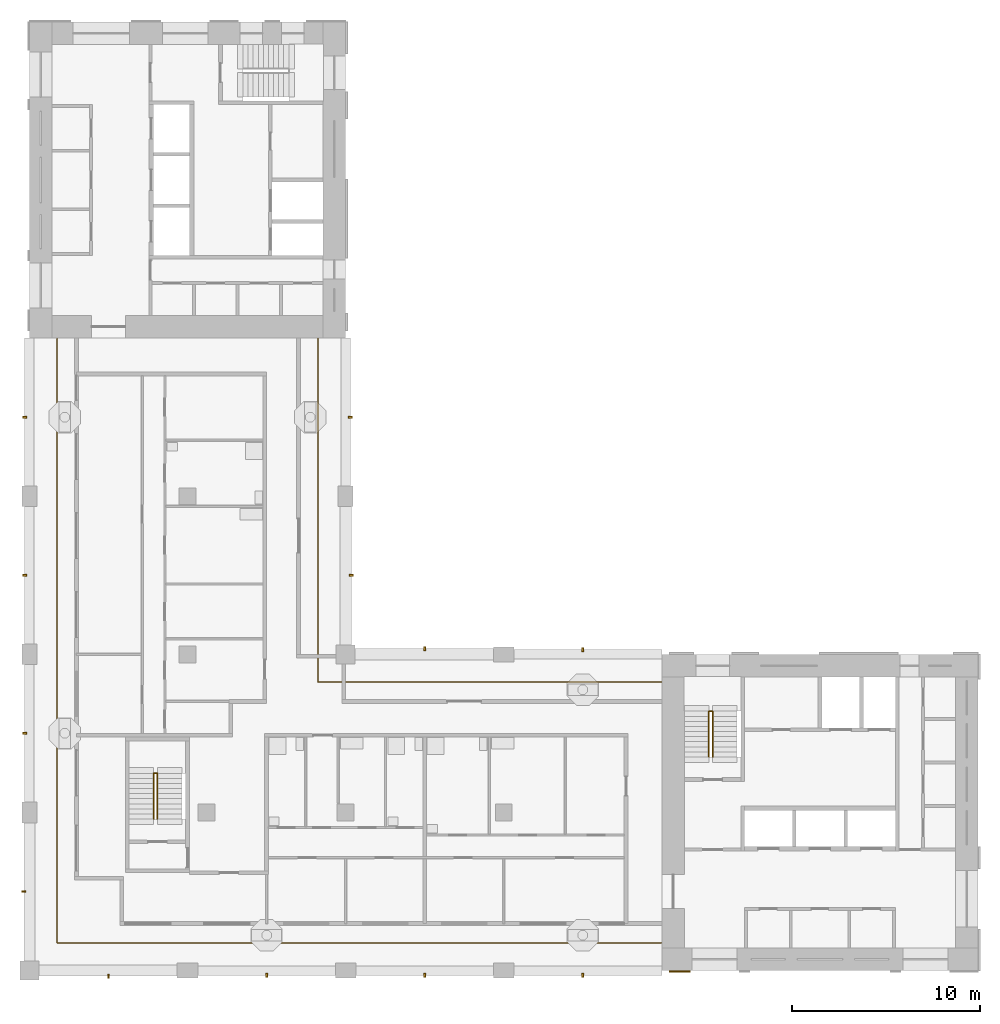
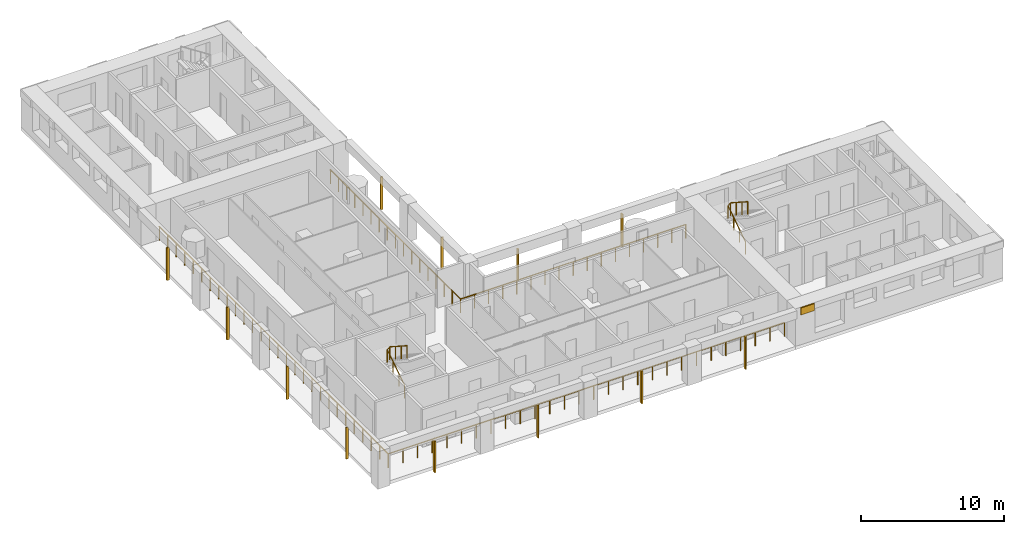
# One storey, part 8 of 12: 13 shading devices, 4 railings.
"""IFC4 building model written with IfcOpenShell, lengths in metres."""

from ifc_helpers import new_model, si_unit, direction, frame, origin, origin_2d, place, context, subcontext, project, spatial, rectangle, circle, extrude, material, layer, layer_set, material_profile, profile_set, type_object, element, save


model = new_model("IFC4")

# Units and contexts
model_context = context("Model", 3, precision=1e-05, world=origin(), true_north=direction((0.0, 1.0)))
body_context = subcontext(model_context, "Body", "Model", "MODEL_VIEW")
ifc_project = project(units=[si_unit("LENGTHUNIT", "METRE"), si_unit("AREAUNIT", "SQUARE_METRE"), si_unit("VOLUMEUNIT", "CUBIC_METRE"), si_unit("PLANEANGLEUNIT", "RADIAN"), si_unit("MASSUNIT", "GRAM", prefix="KILO")], contexts=[model_context])

# Site, building, storey
site_placement = place(None, origin())
site = spatial("IfcSite", under=ifc_project, at=site_placement, CompositionType="ELEMENT")
building_placement = place(site_placement, origin())
building = spatial("IfcBuilding", under=site, at=building_placement, Name="Vermilion Gate Residences", CompositionType="ELEMENT")
storey_placement = place(building_placement, frame((0.0, 0.0, 235.199951171875)))
storey = spatial("IfcBuildingStorey", under=building, at=storey_placement, Name="L61", CompositionType="ELEMENT", Elevation=235.199951171875)

# Railings
ifc_material_1 = material(Name="Stainless steel and toughened glass", Category="steel")
railing_type_1 = type_object("IfcRailingType", Name="LOGGIA GUARD STEEL AND GLASS 1200", PredefinedType="GUARDRAIL", material=ifc_material_1)
railing_1_placement = place(storey_placement, frame((41.97802734375, 23.72509765625, 0.0)))
element("IfcRailing", 1, at=railing_1_placement, inside=storey, type_object=railing_type_1, Name="Loggia guard", PredefinedType="GUARDRAIL", context=body_context, shape_type="SweptSolid", body=[
    extrude(circle(Radius=0.030029296875, at=origin_2d()), frame((0.0, 0.0, 1.169921875), z_axis=(-1.0, 0.0, 0.0), x_axis=(0.0, -1.0, 0.0)), (0.0, 0.0, 1.0), 18.2529296875),
    extrude(circle(Radius=0.030029296875, at=origin_2d()), frame((-18.2529296875, 0.0, 1.169921875), z_axis=(0.0, 1.0, 0.0), x_axis=(-1.0, 0.0, 0.0)), (0.0, 0.0, 1.0), 18.2529296875),
    extrude(circle(Radius=0.02490234375, at=origin_2d()), origin(), (0.0, 0.0, 1.0), 1.139892578125),
    extrude(circle(Radius=0.02490234375, at=origin_2d()), frame((-1.140869140625, 0.0, 0.0)), (0.0, 0.0, 1.0), 1.139892578125),
    extrude(circle(Radius=0.02490234375, at=origin_2d()), frame((-2.28173828125, 0.0, 0.0)), (0.0, 0.0, 1.0), 1.139892578125),
    extrude(circle(Radius=0.02490234375, at=origin_2d()), frame((-3.42236328125, 0.0, 0.0)), (0.0, 0.0, 1.0), 1.139892578125),
    extrude(circle(Radius=0.02490234375, at=origin_2d()), frame((-4.563232421875, 0.0, 0.0)), (0.0, 0.0, 1.0), 1.139892578125),
    extrude(circle(Radius=0.02490234375, at=origin_2d()), frame((-5.7041015625, 0.0, 0.0)), (0.0, 0.0, 1.0), 1.139892578125),
    extrude(circle(Radius=0.02490234375, at=origin_2d()), frame((-6.8447265625, 0.0, 0.0)), (0.0, 0.0, 1.0), 1.139892578125),
    extrude(circle(Radius=0.02490234375, at=origin_2d()), frame((-7.985595703125, 0.0, 0.0)), (0.0, 0.0, 1.0), 1.139892578125),
    extrude(circle(Radius=0.02490234375, at=origin_2d()), frame((-9.12646484375, 0.0, 0.0)), (0.0, 0.0, 1.0), 1.139892578125),
    extrude(circle(Radius=0.02490234375, at=origin_2d()), frame((-10.267333984375, 0.0, 0.0)), (0.0, 0.0, 1.0), 1.139892578125),
    extrude(circle(Radius=0.02490234375, at=origin_2d()), frame((-11.408203125, 0.0, 0.0)), (0.0, 0.0, 1.0), 1.139892578125),
    extrude(circle(Radius=0.02490234375, at=origin_2d()), frame((-12.548828125, 0.0, 0.0)), (0.0, 0.0, 1.0), 1.139892578125),
    extrude(circle(Radius=0.02490234375, at=origin_2d()), frame((-13.689697265625, 0.0, 0.0)), (0.0, 0.0, 1.0), 1.139892578125),
    extrude(circle(Radius=0.02490234375, at=origin_2d()), frame((-14.83056640625, 0.0, 0.0)), (0.0, 0.0, 1.0), 1.139892578125),
    extrude(circle(Radius=0.02490234375, at=origin_2d()), frame((-15.97119140625, 0.0, 0.0)), (0.0, 0.0, 1.0), 1.139892578125),
    extrude(circle(Radius=0.02490234375, at=origin_2d()), frame((-17.112060546875, 0.0, 0.0)), (0.0, 0.0, 1.0), 1.139892578125),
    extrude(circle(Radius=0.02490234375, at=origin_2d()), frame((-18.2529296875, 0.0, 0.0)), (0.0, 0.0, 1.0), 1.139892578125),
    extrude(circle(Radius=0.02490234375, at=origin_2d()), frame((-18.2529296875, 1.140869140625, 0.0)), (0.0, 0.0, 1.0), 1.139892578125),
    extrude(circle(Radius=0.02490234375, at=origin_2d()), frame((-18.2529296875, 2.28173828125, 0.0)), (0.0, 0.0, 1.0), 1.139892578125),
    extrude(circle(Radius=0.02490234375, at=origin_2d()), frame((-18.2529296875, 3.42236328125, 0.0)), (0.0, 0.0, 1.0), 1.139892578125),
    extrude(circle(Radius=0.02490234375, at=origin_2d()), frame((-18.2529296875, 4.563232421875, 0.0)), (0.0, 0.0, 1.0), 1.139892578125),
    extrude(circle(Radius=0.02490234375, at=origin_2d()), frame((-18.2529296875, 5.7041015625, 0.0)), (0.0, 0.0, 1.0), 1.139892578125),
    extrude(circle(Radius=0.02490234375, at=origin_2d()), frame((-18.2529296875, 6.8447265625, 0.0)), (0.0, 0.0, 1.0), 1.139892578125),
    extrude(circle(Radius=0.02490234375, at=origin_2d()), frame((-18.2529296875, 7.985595703125, 0.0)), (0.0, 0.0, 1.0), 1.139892578125),
    extrude(circle(Radius=0.02490234375, at=origin_2d()), frame((-18.2529296875, 9.12646484375, 0.0)), (0.0, 0.0, 1.0), 1.139892578125),
    extrude(circle(Radius=0.02490234375, at=origin_2d()), frame((-18.2529296875, 10.267333984375, 0.0)), (0.0, 0.0, 1.0), 1.139892578125),
    extrude(circle(Radius=0.02490234375, at=origin_2d()), frame((-18.2529296875, 11.408203125, 0.0)), (0.0, 0.0, 1.0), 1.139892578125),
    extrude(circle(Radius=0.02490234375, at=origin_2d()), frame((-18.2529296875, 12.548828125, 0.0)), (0.0, 0.0, 1.0), 1.139892578125),
    extrude(circle(Radius=0.02490234375, at=origin_2d()), frame((-18.2529296875, 13.689697265625, 0.0)), (0.0, 0.0, 1.0), 1.139892578125),
    extrude(circle(Radius=0.02490234375, at=origin_2d()), frame((-18.2529296875, 14.83056640625, 0.0)), (0.0, 0.0, 1.0), 1.139892578125),
    extrude(circle(Radius=0.02490234375, at=origin_2d()), frame((-18.2529296875, 15.97119140625, 0.0)), (0.0, 0.0, 1.0), 1.139892578125),
    extrude(circle(Radius=0.02490234375, at=origin_2d()), frame((-18.2529296875, 17.112060546875, 0.0)), (0.0, 0.0, 1.0), 1.139892578125),
    extrude(circle(Radius=0.02490234375, at=origin_2d()), frame((-18.2529296875, 18.2529296875, 0.0)), (0.0, 0.0, 1.0), 1.139892578125),
])
railing_2_placement = place(storey_placement, frame((9.875, 41.97802734375, 0.0)))
element("IfcRailing", 2, at=railing_2_placement, inside=storey, type_object=railing_type_1, Name="Loggia guard", PredefinedType="GUARDRAIL", context=body_context, shape_type="SweptSolid", body=[
    extrude(circle(Radius=0.030029296875, at=origin_2d()), frame((0.0, 0.0, 1.169921875), z_axis=(0.0, -1.0, 0.0), x_axis=(1.0, 0.0, 0.0)), (0.0, 0.0, 1.0), 32.10302734375),
    extrude(circle(Radius=0.030029296875, at=origin_2d()), frame((0.0, -32.10302734375, 1.169921875), z_axis=(1.0, 0.0, 0.0), x_axis=(0.0, 1.0, 0.0)), (0.0, 0.0, 1.0), 32.10302734375),
    extrude(circle(Radius=0.02490234375, at=origin_2d()), origin(), (0.0, 0.0, 1.0), 1.139892578125),
    extrude(circle(Radius=0.02490234375, at=origin_2d()), frame((0.0, -1.18896484375, 0.0)), (0.0, 0.0, 1.0), 1.139892578125),
    extrude(circle(Radius=0.02490234375, at=origin_2d()), frame((0.0, -2.3779296875, 0.0)), (0.0, 0.0, 1.0), 1.139892578125),
    extrude(circle(Radius=0.02490234375, at=origin_2d()), frame((0.0, -3.56689453125, 0.0)), (0.0, 0.0, 1.0), 1.139892578125),
    extrude(circle(Radius=0.02490234375, at=origin_2d()), frame((0.0, -4.756103515625, 0.0)), (0.0, 0.0, 1.0), 1.139892578125),
    extrude(circle(Radius=0.02490234375, at=origin_2d()), frame((0.0, -5.945068359375, 0.0)), (0.0, 0.0, 1.0), 1.139892578125),
    extrude(circle(Radius=0.02490234375, at=origin_2d()), frame((0.0, -7.134033203125, 0.0)), (0.0, 0.0, 1.0), 1.139892578125),
    extrude(circle(Radius=0.02490234375, at=origin_2d()), frame((0.0, -8.322998046875, 0.0)), (0.0, 0.0, 1.0), 1.139892578125),
    extrude(circle(Radius=0.02490234375, at=origin_2d()), frame((0.0, -9.511962890625, 0.0)), (0.0, 0.0, 1.0), 1.139892578125),
    extrude(circle(Radius=0.02490234375, at=origin_2d()), frame((0.0, -10.700927734375, 0.0)), (0.0, 0.0, 1.0), 1.139892578125),
    extrude(circle(Radius=0.02490234375, at=origin_2d()), frame((0.0, -11.889892578125, 0.0)), (0.0, 0.0, 1.0), 1.139892578125),
    extrude(circle(Radius=0.02490234375, at=origin_2d()), frame((0.0, -13.0791015625, 0.0)), (0.0, 0.0, 1.0), 1.139892578125),
    extrude(circle(Radius=0.02490234375, at=origin_2d()), frame((0.0, -14.26806640625, 0.0)), (0.0, 0.0, 1.0), 1.139892578125),
    extrude(circle(Radius=0.02490234375, at=origin_2d()), frame((0.0, -15.45703125, 0.0)), (0.0, 0.0, 1.0), 1.139892578125),
    extrude(circle(Radius=0.02490234375, at=origin_2d()), frame((0.0, -16.64599609375, 0.0)), (0.0, 0.0, 1.0), 1.139892578125),
    extrude(circle(Radius=0.02490234375, at=origin_2d()), frame((0.0, -17.8349609375, 0.0)), (0.0, 0.0, 1.0), 1.139892578125),
    extrude(circle(Radius=0.02490234375, at=origin_2d()), frame((0.0, -19.02392578125, 0.0)), (0.0, 0.0, 1.0), 1.139892578125),
    extrude(circle(Radius=0.02490234375, at=origin_2d()), frame((0.0, -20.213134765625, 0.0)), (0.0, 0.0, 1.0), 1.139892578125),
    extrude(circle(Radius=0.02490234375, at=origin_2d()), frame((0.0, -21.402099609375, 0.0)), (0.0, 0.0, 1.0), 1.139892578125),
    extrude(circle(Radius=0.02490234375, at=origin_2d()), frame((0.0, -22.591064453125, 0.0)), (0.0, 0.0, 1.0), 1.139892578125),
    extrude(circle(Radius=0.02490234375, at=origin_2d()), frame((0.0, -23.780029296875, 0.0)), (0.0, 0.0, 1.0), 1.139892578125),
    extrude(circle(Radius=0.02490234375, at=origin_2d()), frame((0.0, -24.968994140625, 0.0)), (0.0, 0.0, 1.0), 1.139892578125),
    extrude(circle(Radius=0.02490234375, at=origin_2d()), frame((0.0, -26.157958984375, 0.0)), (0.0, 0.0, 1.0), 1.139892578125),
    extrude(circle(Radius=0.02490234375, at=origin_2d()), frame((0.0, -27.346923828125, 0.0)), (0.0, 0.0, 1.0), 1.139892578125),
    extrude(circle(Radius=0.02490234375, at=origin_2d()), frame((0.0, -28.5361328125, 0.0)), (0.0, 0.0, 1.0), 1.139892578125),
    extrude(circle(Radius=0.02490234375, at=origin_2d()), frame((0.0, -29.72509765625, 0.0)), (0.0, 0.0, 1.0), 1.139892578125),
    extrude(circle(Radius=0.02490234375, at=origin_2d()), frame((0.0, -30.9140625, 0.0)), (0.0, 0.0, 1.0), 1.139892578125),
    extrude(circle(Radius=0.02490234375, at=origin_2d()), frame((0.0, -32.10302734375, 0.0)), (0.0, 0.0, 1.0), 1.139892578125),
    extrude(circle(Radius=0.02490234375, at=origin_2d()), frame((1.18896484375, -32.10302734375, 0.0)), (0.0, 0.0, 1.0), 1.139892578125),
    extrude(circle(Radius=0.02490234375, at=origin_2d()), frame((2.3779296875, -32.10302734375, 0.0)), (0.0, 0.0, 1.0), 1.139892578125),
    extrude(circle(Radius=0.02490234375, at=origin_2d()), frame((3.56689453125, -32.10302734375, 0.0)), (0.0, 0.0, 1.0), 1.139892578125),
    extrude(circle(Radius=0.02490234375, at=origin_2d()), frame((4.756103515625, -32.10302734375, 0.0)), (0.0, 0.0, 1.0), 1.139892578125),
    extrude(circle(Radius=0.02490234375, at=origin_2d()), frame((5.945068359375, -32.10302734375, 0.0)), (0.0, 0.0, 1.0), 1.139892578125),
    extrude(circle(Radius=0.02490234375, at=origin_2d()), frame((7.134033203125, -32.10302734375, 0.0)), (0.0, 0.0, 1.0), 1.139892578125),
    extrude(circle(Radius=0.02490234375, at=origin_2d()), frame((8.322998046875, -32.10302734375, 0.0)), (0.0, 0.0, 1.0), 1.139892578125),
    extrude(circle(Radius=0.02490234375, at=origin_2d()), frame((9.511962890625, -32.10302734375, 0.0)), (0.0, 0.0, 1.0), 1.139892578125),
    extrude(circle(Radius=0.02490234375, at=origin_2d()), frame((10.700927734375, -32.10302734375, 0.0)), (0.0, 0.0, 1.0), 1.139892578125),
    extrude(circle(Radius=0.02490234375, at=origin_2d()), frame((11.889892578125, -32.10302734375, 0.0)), (0.0, 0.0, 1.0), 1.139892578125),
    extrude(circle(Radius=0.02490234375, at=origin_2d()), frame((13.0791015625, -32.10302734375, 0.0)), (0.0, 0.0, 1.0), 1.139892578125),
    extrude(circle(Radius=0.02490234375, at=origin_2d()), frame((14.26806640625, -32.10302734375, 0.0)), (0.0, 0.0, 1.0), 1.139892578125),
    extrude(circle(Radius=0.02490234375, at=origin_2d()), frame((15.45703125, -32.10302734375, 0.0)), (0.0, 0.0, 1.0), 1.139892578125),
    extrude(circle(Radius=0.02490234375, at=origin_2d()), frame((16.64599609375, -32.10302734375, 0.0)), (0.0, 0.0, 1.0), 1.139892578125),
    extrude(circle(Radius=0.02490234375, at=origin_2d()), frame((17.8349609375, -32.10302734375, 0.0)), (0.0, 0.0, 1.0), 1.139892578125),
    extrude(circle(Radius=0.02490234375, at=origin_2d()), frame((19.02392578125, -32.10302734375, 0.0)), (0.0, 0.0, 1.0), 1.139892578125),
    extrude(circle(Radius=0.02490234375, at=origin_2d()), frame((20.213134765625, -32.10302734375, 0.0)), (0.0, 0.0, 1.0), 1.139892578125),
    extrude(circle(Radius=0.02490234375, at=origin_2d()), frame((21.402099609375, -32.10302734375, 0.0)), (0.0, 0.0, 1.0), 1.139892578125),
    extrude(circle(Radius=0.02490234375, at=origin_2d()), frame((22.591064453125, -32.10302734375, 0.0)), (0.0, 0.0, 1.0), 1.139892578125),
    extrude(circle(Radius=0.02490234375, at=origin_2d()), frame((23.780029296875, -32.10302734375, 0.0)), (0.0, 0.0, 1.0), 1.139892578125),
    extrude(circle(Radius=0.02490234375, at=origin_2d()), frame((24.968994140625, -32.10302734375, 0.0)), (0.0, 0.0, 1.0), 1.139892578125),
    extrude(circle(Radius=0.02490234375, at=origin_2d()), frame((26.157958984375, -32.10302734375, 0.0)), (0.0, 0.0, 1.0), 1.139892578125),
    extrude(circle(Radius=0.02490234375, at=origin_2d()), frame((27.346923828125, -32.10302734375, 0.0)), (0.0, 0.0, 1.0), 1.139892578125),
    extrude(circle(Radius=0.02490234375, at=origin_2d()), frame((28.5361328125, -32.10302734375, 0.0)), (0.0, 0.0, 1.0), 1.139892578125),
    extrude(circle(Radius=0.02490234375, at=origin_2d()), frame((29.72509765625, -32.10302734375, 0.0)), (0.0, 0.0, 1.0), 1.139892578125),
    extrude(circle(Radius=0.02490234375, at=origin_2d()), frame((30.9140625, -32.10302734375, 0.0)), (0.0, 0.0, 1.0), 1.139892578125),
    extrude(circle(Radius=0.02490234375, at=origin_2d()), frame((32.10302734375, -32.10302734375, 0.0)), (0.0, 0.0, 1.0), 1.139892578125),
])
ifc_material_2 = material(Name="Steel S355", Category="steel")
railing_type_2 = type_object("IfcRailingType", Name="STAIR GUARD 1100 STEEL", PredefinedType="GUARDRAIL", material=ifc_material_2)
for number, where, name in (
    (3, (44.5, 19.75, 0.175048828125), "Stair well guard STA1-61"),
    (4, (15.0, 16.449951171875, 0.175048828125), "Stair well guard STC1-61"),
):
    element("IfcRailing", number, at=place(storey_placement, frame(where)), inside=storey, type_object=railing_type_2, Name=name, PredefinedType="GUARDRAIL", context=body_context, shape_type="SweptSolid", body=[
        extrude(circle(Radius=0.02392578125, at=origin_2d()), frame((0.0, 0.0, 1.076171875), z_axis=(0.0, 0.839153699163, 0.543894354798), x_axis=(-1.0, 0.0, 0.0)), (0.0, 0.0, 1.0), 2.895751953125),
        extrude(circle(Radius=0.02392578125, at=origin_2d()), frame((0.0, 2.429931640625, 2.65087890625), z_axis=(0.752405939678, 0.0, 0.658699705433), x_axis=(0.0, 1.0, 0.0)), (0.0, 0.0, 1.0), 0.265869140625),
        extrude(circle(Radius=0.02392578125, at=origin_2d()), frame((0.199951171875, 2.429931640625, 2.826171875), z_axis=(0.0, -0.839153699163, 0.543894354798), x_axis=(1.0, 0.0, 0.0)), (0.0, 0.0, 1.0), 2.895751953125),
        extrude(circle(Radius=0.02099609375, at=origin_2d()), origin(), (0.0, 0.0, 1.0), 1.052001953125),
        extrude(circle(Radius=0.02099609375, at=origin_2d()), frame((0.0, 0.81005859375, 0.52490234375)), (0.0, 0.0, 1.0), 1.052001953125),
        extrude(circle(Radius=0.02099609375, at=origin_2d()), frame((0.0, 1.619873046875, 1.050048828125)), (0.0, 0.0, 1.0), 1.052001953125),
        extrude(circle(Radius=0.02099609375, at=origin_2d()), frame((0.0, 2.429931640625, 1.574951171875)), (0.0, 0.0, 1.0), 1.052001953125),
        extrude(circle(Radius=0.02099609375, at=origin_2d()), frame((0.199951171875, 2.429931640625, 1.75)), (0.0, 0.0, 1.0), 1.052001953125),
        extrude(circle(Radius=0.02099609375, at=origin_2d()), frame((0.199951171875, 1.619873046875, 2.27490234375)), (0.0, 0.0, 1.0), 1.052001953125),
        extrude(circle(Radius=0.02099609375, at=origin_2d()), frame((0.199951171875, 0.81005859375, 2.800048828125)), (0.0, 0.0, 1.0), 1.052001953125),
        extrude(circle(Radius=0.02099609375, at=origin_2d()), frame((0.199951171875, 0.0, 3.324951171875)), (0.0, 0.0, 1.0), 1.052001953125),
    ])

# Shading devices
ifc_material_3 = material(Name="Extruded terracotta", Category="masonry")
ifc_material_profile = material_profile(ifc_material_3, rectangle(XDim=0.199951171875, YDim=0.10009765625, at=origin_2d()), Name="BAGUETTE 100 X 200")
ifc_profile_set = profile_set([ifc_material_profile], Name="Extruded terracotta")
shading_device_type_1 = type_object("IfcShadingDeviceType", Name="TERRACOTTA BAGUETTE 100 X 200", PredefinedType="JALOUSIE", material=ifc_profile_set)
shading_device_1_placement = place(storey_placement, frame((12.60009765625, 8.10009765625, -0.280029296875), z_axis=(0.0, 0.0, 1.0), x_axis=(0.0, 1.0, 0.0)))
element("IfcShadingDevice", 5, at=shading_device_1_placement, inside=storey, type_object=shading_device_type_1, Name="BAGUETTE", PredefinedType="JALOUSIE", context=body_context, shape_type="SweptSolid", body=[
    extrude(rectangle(XDim=0.199951171875, YDim=0.10009765625, at=origin_2d()), origin(), (0.0, 0.0, 1.0), 2.7001953125),
])
for number, where, z_axis, x_axis, name in (
    (6, (21.0, 8.14990234375, -0.280029296875), (0.0, 0.0, 1.0), (0.0, 1.0, 0.0), "BAGUETTE"),
    (7, (29.39990234375, 8.14990234375, -0.280029296875), (0.0, 0.0, 1.0), (0.0, 1.0, 0.0), "BAGUETTE"),
    (8, (37.800048828125, 8.14990234375, -0.280029296875), (0.0, 0.0, 1.0), (0.0, 1.0, 0.0), "BAGUETTE"),
):
    element("IfcShadingDevice", number, at=place(storey_placement, frame(where, z_axis=z_axis, x_axis=x_axis)), inside=storey, type_object=shading_device_type_1, Name=name, PredefinedType="JALOUSIE", context=body_context, shape_type="SweptSolid", body=[
        extrude(rectangle(XDim=0.199951171875, YDim=0.10009765625, at=origin_2d()), origin(), (0.0, 0.0, 1.0), 2.800048828125),
    ])
shading_device_2_placement = place(storey_placement, frame((29.39990234375, 25.5, -0.280029296875), z_axis=(0.0, 0.0, 1.0), x_axis=(0.0, -1.0, 0.0)))
element("IfcShadingDevice", 9, at=shading_device_2_placement, inside=storey, type_object=shading_device_type_1, Name="BAGUETTE", PredefinedType="JALOUSIE", context=body_context, shape_type="SweptSolid", body=[
    extrude(rectangle(XDim=0.199951171875, YDim=0.10009765625, at=origin_2d()), origin(), (0.0, 0.0, 1.0), 2.7001953125),
])
shading_device_3_placement = place(storey_placement, frame((37.800048828125, 25.449951171875, -0.280029296875), z_axis=(0.0, 0.0, 1.0), x_axis=(0.0, -1.0, 0.0)))
element("IfcShadingDevice", 10, at=shading_device_3_placement, inside=storey, type_object=shading_device_type_1, Name="BAGUETTE", PredefinedType="JALOUSIE", context=body_context, shape_type="SweptSolid", body=[
    extrude(rectangle(XDim=0.199951171875, YDim=0.10009765625, at=origin_2d()), origin(), (0.0, 0.0, 1.0), 2.800048828125),
])
shading_device_4_placement = place(storey_placement, frame((25.5, 29.39990234375, -0.280029296875), z_axis=(0.0, 0.0, 1.0), x_axis=(-1.0, 0.0, 0.0)))
element("IfcShadingDevice", 11, at=shading_device_4_placement, inside=storey, type_object=shading_device_type_1, Name="BAGUETTE", PredefinedType="JALOUSIE", context=body_context, shape_type="SweptSolid", body=[
    extrude(rectangle(XDim=0.199951171875, YDim=0.10009765625, at=origin_2d()), origin(), (0.0, 0.0, 1.0), 2.7001953125),
])
shading_device_5_placement = place(storey_placement, frame((25.449951171875, 37.800048828125, -0.280029296875), z_axis=(0.0, 0.0, 1.0), x_axis=(-1.0, 0.0, 0.0)))
element("IfcShadingDevice", 12, at=shading_device_5_placement, inside=storey, type_object=shading_device_type_1, Name="BAGUETTE", PredefinedType="JALOUSIE", context=body_context, shape_type="SweptSolid", body=[
    extrude(rectangle(XDim=0.199951171875, YDim=0.10009765625, at=origin_2d()), origin(), (0.0, 0.0, 1.0), 2.800048828125),
])
shading_device_6_placement = place(storey_placement, frame((8.10009765625, 12.60009765625, -0.280029296875), z_axis=(0.0, 0.0, 1.0), x_axis=(1.0, 0.0, 0.0)))
element("IfcShadingDevice", 13, at=shading_device_6_placement, inside=storey, type_object=shading_device_type_1, Name="BAGUETTE", PredefinedType="JALOUSIE", context=body_context, shape_type="SweptSolid", body=[
    extrude(rectangle(XDim=0.199951171875, YDim=0.10009765625, at=origin_2d()), origin(), (0.0, 0.0, 1.0), 2.7001953125),
])
for number, where, z_axis, x_axis, name in (
    (14, (8.14990234375, 21.0, -0.280029296875), (0.0, 0.0, 1.0), (1.0, 0.0, 0.0), "BAGUETTE"),
    (15, (8.14990234375, 29.39990234375, -0.280029296875), (0.0, 0.0, 1.0), (1.0, 0.0, 0.0), "BAGUETTE"),
    (16, (8.14990234375, 37.800048828125, -0.280029296875), (0.0, 0.0, 1.0), (1.0, 0.0, 0.0), "BAGUETTE"),
):
    element("IfcShadingDevice", number, at=place(storey_placement, frame(where, z_axis=z_axis, x_axis=x_axis)), inside=storey, type_object=shading_device_type_1, Name=name, PredefinedType="JALOUSIE", context=body_context, shape_type="SweptSolid", body=[
        extrude(rectangle(XDim=0.199951171875, YDim=0.10009765625, at=origin_2d()), origin(), (0.0, 0.0, 1.0), 2.800048828125),
    ])
ifc_material_4 = material(Name="Extruded terracotta", Category="masonry")
ifc_layer = layer(ifc_material_4, 0.10009765625)
ifc_layer_set = layer_set([ifc_layer], Name="TERRACOTTA SPANDREL BAND 600 X 100")
shading_device_type_2 = type_object("IfcShadingDeviceType", Name="TERRACOTTA SPANDREL BAND 600 X 100", PredefinedType="USERDEFINED", material=ifc_layer_set)
shading_device_7_placement = place(storey_placement, frame((42.949951171875, 8.35009765625, 2.6201171875), z_axis=(0.0, 0.0, 1.0), x_axis=(1.0, 0.0, 0.0)))
element("IfcShadingDevice", 17, at=shading_device_7_placement, inside=storey, type_object=shading_device_type_2, Name="SPANDREL BAND", ObjectType="BAND", PredefinedType="USERDEFINED", context=body_context, shape_type="SweptSolid", body=[
    extrude(rectangle(XDim=1.10009765625, YDim=0.10009765625, at=origin_2d()), origin(), (0.0, 0.0, 1.0), 0.60009765625),
])

save(model, "model.ifc")
